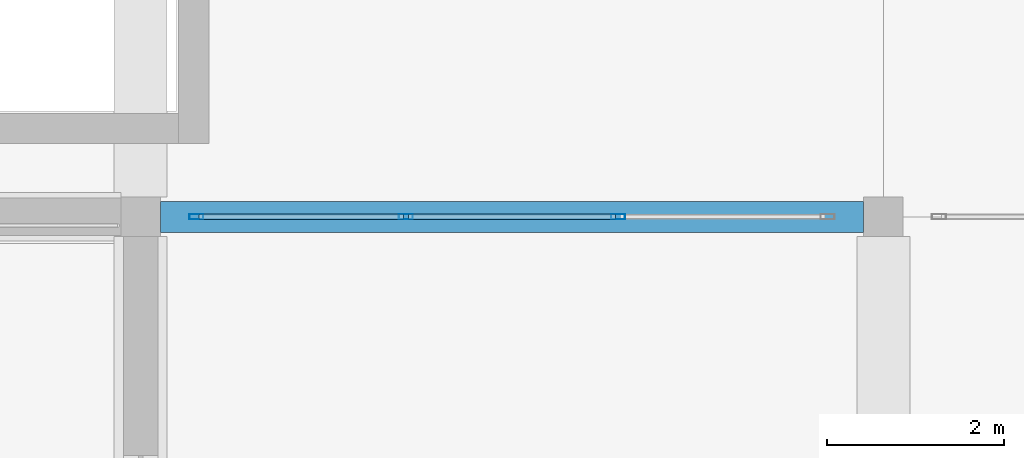
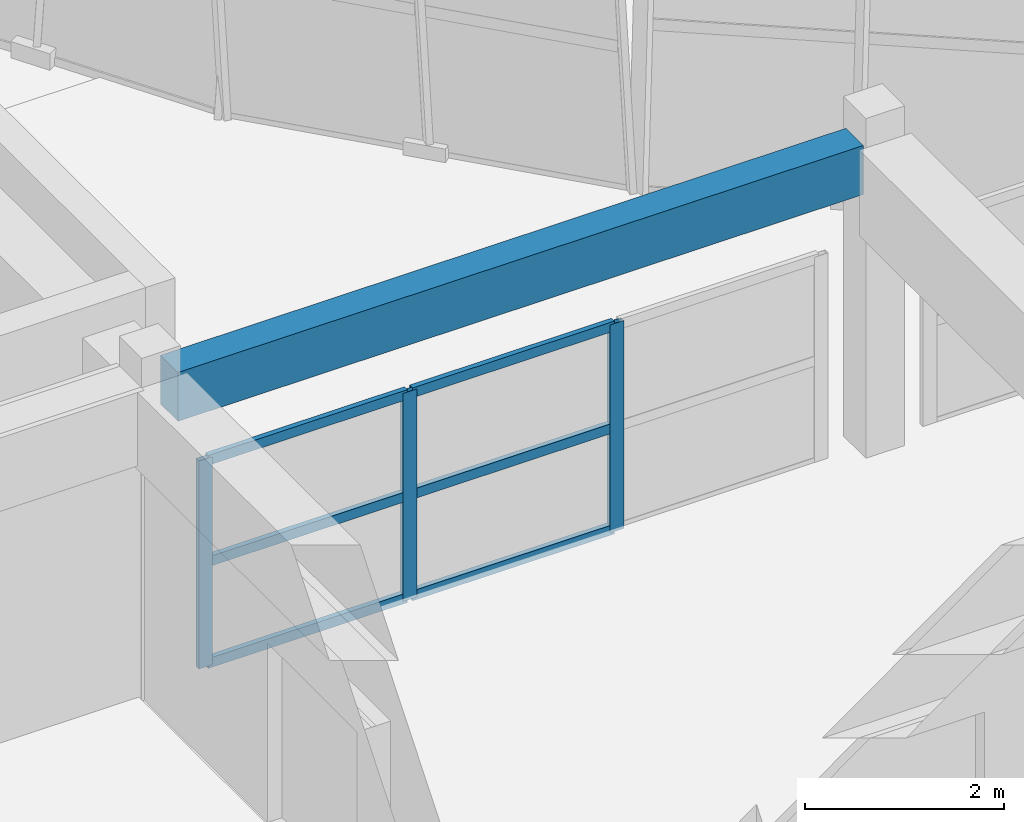
# One storey, part 7 of 40: 9 members, 1 beam, 1 element without a shape of its own.
"""IFC4 building model written with IfcOpenShell, lengths in metres."""

from ifc_helpers import new_model, si_unit, direction, frame, origin, origin_2d, place, context, subcontext, project, spatial, rectangle, hollow_rectangle, extrude, material, material_profile, profile_set, type_object, element, aggregate, save


model = new_model("IFC4")

# Units and contexts
model_context = context("Model", 3, precision=1e-05, world=origin(), true_north=direction((0.0, 1.0)))
body_context = subcontext(model_context, "Body", "Model", "MODEL_VIEW")
ifc_project = project(units=[si_unit("LENGTHUNIT", "METRE"), si_unit("AREAUNIT", "SQUARE_METRE"), si_unit("VOLUMEUNIT", "CUBIC_METRE"), si_unit("PLANEANGLEUNIT", "RADIAN"), si_unit("MASSUNIT", "GRAM", prefix="KILO")], contexts=[model_context])

# Site, building, storey
site_placement = place(None, origin())
site = spatial("IfcSite", under=ifc_project, at=site_placement, CompositionType="ELEMENT")
building_placement = place(site_placement, origin())
building = spatial("IfcBuilding", under=site, at=building_placement, Name="Korsvaeld Concert Hall", CompositionType="ELEMENT")
storey_placement = place(building_placement, frame((0.0, 0.0, 13.199951171875)))
storey = spatial("IfcBuildingStorey", under=building, at=storey_placement, Name="L03", CompositionType="ELEMENT", Elevation=13.199951171875)

# Beam
ifc_material_1 = material(Name="Concrete C35/45", Category="concrete")
ifc_material_profile_1 = material_profile(ifc_material_1, rectangle(XDim=0.35009765625, YDim=0.60009765625, at=origin_2d()), Name="RC 350x600")
ifc_profile_set_1 = profile_set([ifc_material_profile_1], Name="Concrete C35/45")
beam_type = type_object("IfcBeamType", Name="BM-RC-350x600", PredefinedType="T_BEAM", material=ifc_profile_set_1)
beam_placement = place(storey_placement, frame((59.02490234375, 43.199951171875, 3.5400390625), z_axis=(1.0, 0.0, 0.0), x_axis=(0.0, 1.0, 0.0)))
element("IfcBeam", 1, at=beam_placement, inside=storey, type_object=beam_type, Name="Primary girder 9-10/G L03", PredefinedType="T_BEAM", context=body_context, shape_type="SweptSolid", body=[
    extrude(rectangle(XDim=0.35009765625, YDim=0.60009765625, at=origin_2d()), origin(), (0.0, 0.0, 1.0), 7.9501953125),
])

# Curtain wall, members
ifc_material_2 = material(Name="Anodised bronze and ceramic-fritted safety glass", Category="glass")
curtain_wall_type = type_object("IfcCurtainWallType", Name="CW-TYPE-13", PredefinedType="USERDEFINED", material=ifc_material_2)
curtain_wall_placement = place(storey_placement, origin())
curtain_wall = element("IfcCurtainWall", 2, at=curtain_wall_placement, inside=storey, type_object=curtain_wall_type, Name="Glazed foyer acoustic screen L03-37", ObjectType="CURTAIN WALL", PredefinedType="USERDEFINED")
ifc_material_3 = material(Name="Anodised architectural bronze aluminium", Category="aluminium")
ifc_material_profile_2 = material_profile(ifc_material_3, hollow_rectangle(XDim=0.06005859375, YDim=0.159912109375, WallThickness=0.00390625, at=origin_2d()), Name="CWM 160x60x4")
ifc_profile_set_2 = profile_set([ifc_material_profile_2], Name="Anodised architectural bronze aluminium")
member_type_1 = type_object("IfcMemberType", Name="CWM-ALUM-160x60", PredefinedType="MULLION", material=ifc_profile_set_2)
member_1_placement = place(storey_placement, frame((59.429931640625, 43.199951171875, 0.0), z_axis=(0.0, 0.0, 1.0), x_axis=(0.0, 1.0, 0.0)))
member_1 = element("IfcMember", 3, at=member_1_placement, type_object=member_type_1, Name="CW-13 mullion 1", PredefinedType="MULLION", context=body_context, shape_type="SweptSolid", body=[
    extrude(hollow_rectangle(XDim=0.06005859375, YDim=0.159912109375, WallThickness=0.00390625, at=origin_2d()), origin(), (0.0, 0.0, 1.0), 2.550048828125),
])
member_2_placement = place(storey_placement, frame((61.800048828125, 43.199951171875, 0.0), z_axis=(0.0, 0.0, 1.0), x_axis=(0.0, 1.0, 0.0)))
member_2 = element("IfcMember", 4, at=member_2_placement, type_object=member_type_1, Name="CW-13 mullion 2", PredefinedType="MULLION", context=body_context, shape_type="SweptSolid", body=[
    extrude(hollow_rectangle(XDim=0.06005859375, YDim=0.159912109375, WallThickness=0.00390625, at=origin_2d()), origin(), (0.0, 0.0, 1.0), 2.550048828125),
])
member_3_placement = place(storey_placement, frame((64.199951171875, 43.199951171875, 0.0), z_axis=(0.0, 0.0, 1.0), x_axis=(0.0, 1.0, 0.0)))
member_3 = element("IfcMember", 5, at=member_3_placement, type_object=member_type_1, Name="CW-13 mullion 3", PredefinedType="MULLION", context=body_context, shape_type="SweptSolid", body=[
    extrude(hollow_rectangle(XDim=0.06005859375, YDim=0.159912109375, WallThickness=0.00390625, at=origin_2d()), origin(), (0.0, 0.0, 1.0), 2.550048828125),
])
ifc_material_profile_3 = material_profile(ifc_material_3, hollow_rectangle(XDim=0.06005859375, YDim=0.1201171875, WallThickness=0.00390625, at=origin_2d()), Name="CWT 120x60x4")
ifc_profile_set_3 = profile_set([ifc_material_profile_3], Name="Anodised architectural bronze aluminium")
member_type_2 = type_object("IfcMemberType", Name="CWT-ALUM-120x60", PredefinedType="USERDEFINED", material=ifc_profile_set_3)
member_4_placement = place(storey_placement, frame((59.4599609375, 43.199951171875, 0.030029296875), z_axis=(1.0, 0.0, 0.0), x_axis=(0.0, 1.0, 0.0)))
member_4 = element("IfcMember", 6, at=member_4_placement, type_object=member_type_2, Name="CW-13 transom 1.1", ObjectType="TRANSOM", PredefinedType="USERDEFINED", context=body_context, shape_type="SweptSolid", body=[
    extrude(hollow_rectangle(XDim=0.06005859375, YDim=0.1201171875, WallThickness=0.00390625, at=origin_2d()), origin(), (0.0, 0.0, 1.0), 2.31005859375),
])
member_5_placement = place(storey_placement, frame((59.4599609375, 43.199951171875, 1.275146484375), z_axis=(1.0, 0.0, 0.0), x_axis=(0.0, 1.0, 0.0)))
member_5 = element("IfcMember", 7, at=member_5_placement, type_object=member_type_2, Name="CW-13 transom 1.2", ObjectType="TRANSOM", PredefinedType="USERDEFINED", context=body_context, shape_type="SweptSolid", body=[
    extrude(hollow_rectangle(XDim=0.06005859375, YDim=0.1201171875, WallThickness=0.00390625, at=origin_2d()), origin(), (0.0, 0.0, 1.0), 2.31005859375),
])
member_6_placement = place(storey_placement, frame((59.4599609375, 43.199951171875, 2.52001953125), z_axis=(1.0, 0.0, 0.0), x_axis=(0.0, 1.0, 0.0)))
member_6 = element("IfcMember", 8, at=member_6_placement, type_object=member_type_2, Name="CW-13 transom 1.3", ObjectType="TRANSOM", PredefinedType="USERDEFINED", context=body_context, shape_type="SweptSolid", body=[
    extrude(hollow_rectangle(XDim=0.06005859375, YDim=0.1201171875, WallThickness=0.00390625, at=origin_2d()), origin(), (0.0, 0.0, 1.0), 2.31005859375),
])
member_7_placement = place(storey_placement, frame((61.830078125, 43.199951171875, 0.030029296875), z_axis=(1.0, 0.0, 0.0), x_axis=(0.0, 1.0, 0.0)))
member_7 = element("IfcMember", 9, at=member_7_placement, type_object=member_type_2, Name="CW-13 transom 2.1", ObjectType="TRANSOM", PredefinedType="USERDEFINED", context=body_context, shape_type="SweptSolid", body=[
    extrude(hollow_rectangle(XDim=0.06005859375, YDim=0.1201171875, WallThickness=0.00390625, at=origin_2d()), origin(), (0.0, 0.0, 1.0), 2.33984375),
])
member_8_placement = place(storey_placement, frame((61.830078125, 43.199951171875, 1.275146484375), z_axis=(1.0, 0.0, 0.0), x_axis=(0.0, 1.0, 0.0)))
member_8 = element("IfcMember", 10, at=member_8_placement, type_object=member_type_2, Name="CW-13 transom 2.2", ObjectType="TRANSOM", PredefinedType="USERDEFINED", context=body_context, shape_type="SweptSolid", body=[
    extrude(hollow_rectangle(XDim=0.06005859375, YDim=0.1201171875, WallThickness=0.00390625, at=origin_2d()), origin(), (0.0, 0.0, 1.0), 2.33984375),
])
member_9_placement = place(storey_placement, frame((61.830078125, 43.199951171875, 2.52001953125), z_axis=(1.0, 0.0, 0.0), x_axis=(0.0, 1.0, 0.0)))
member_9 = element("IfcMember", 11, at=member_9_placement, type_object=member_type_2, Name="CW-13 transom 2.3", ObjectType="TRANSOM", PredefinedType="USERDEFINED", context=body_context, shape_type="SweptSolid", body=[
    extrude(hollow_rectangle(XDim=0.06005859375, YDim=0.1201171875, WallThickness=0.00390625, at=origin_2d()), origin(), (0.0, 0.0, 1.0), 2.33984375),
])
aggregate(curtain_wall, [member_1, member_2, member_3, member_4, member_5, member_6, member_7, member_8, member_9])

save(model, "model.ifc")
